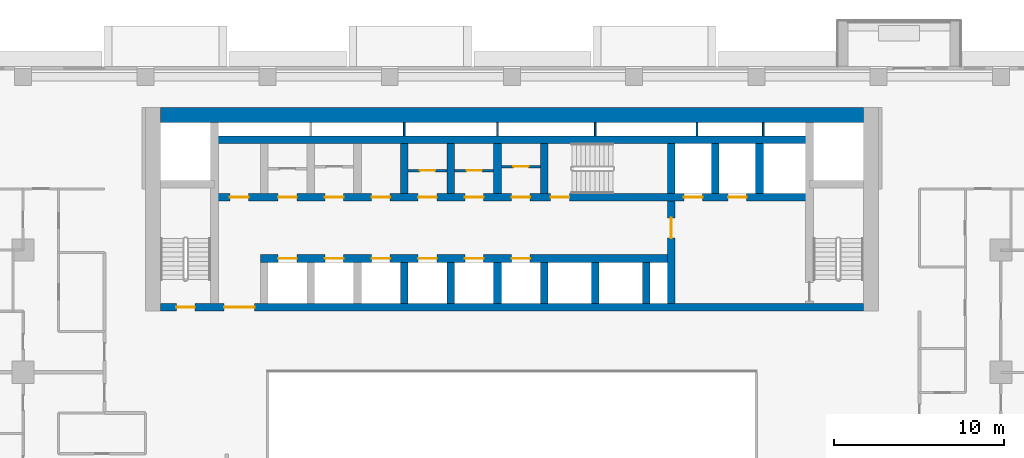
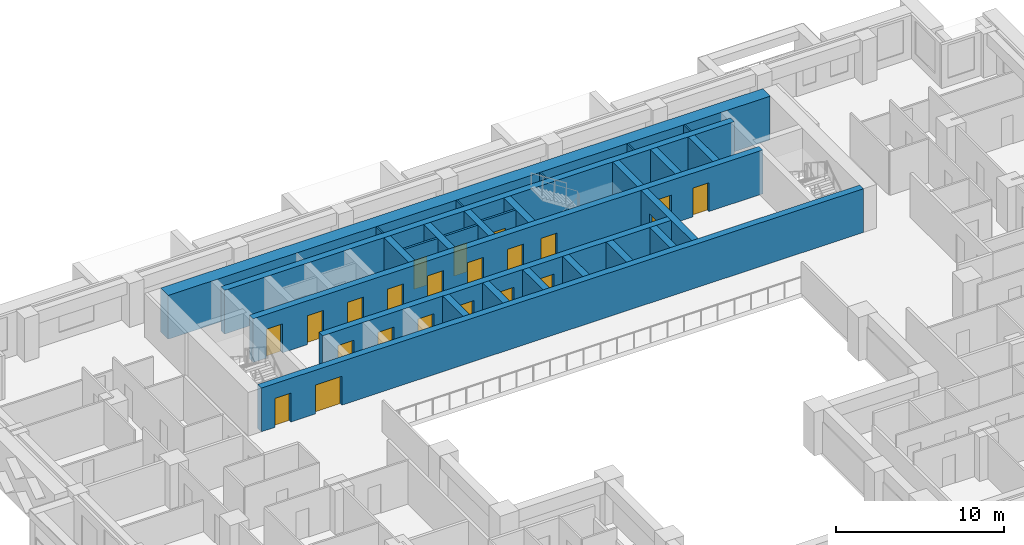
# One storey, part 10 of 16: 27 walls, 22 doors, 22 openings.
"""IFC4 building model written with IfcOpenShell, lengths in metres."""

import ifcopenshell
import ifcopenshell.guid

model = None  # the IFC model being written
_history = None  # IfcOwnerHistory: only IFC2X3 demands one
_inside = {}  # id of a spatial element -> (the spatial element, [elements in it])
_under = {}  # id of a project, library or spatial element -> (it, [spatial elements below it])
_declared = {}  # id of a project -> (the project, [libraries it declares])
_typed = {}  # id of a type object -> (the type object, [elements of that type])
_made_of = {}  # id of a material, layer set ... -> (it, [elements and type objects made of it])


def new_model(schema):
    """Start an empty IFC model of exactly this schema.

    Asked for "IFC4X3", IfcOpenShell would pick the latest addendum, in which some entities
    have other attributes; the version numbers below select the first issue.
    IFC2X3 requires an IfcOwnerHistory on every rooted entity: one is made here for all.
    """
    global model, _history
    if schema == "IFC4X3":
        model = ifcopenshell.file(schema_version=(4, 3, 0, 0))
    else:
        model = ifcopenshell.file(schema=schema)
    _inside.clear()
    _under.clear()
    _declared.clear()
    _typed.clear()
    _made_of.clear()
    _history = None
    if model.schema == "IFC2X3":
        org = make("IfcOrganization", Name="unknown")
        user = make(
            "IfcPersonAndOrganization",
            ThePerson=make("IfcPerson", FamilyName="unknown"),
            TheOrganization=org,
        )
        app = make(
            "IfcApplication",
            ApplicationDeveloper=org,
            Version="unknown",
            ApplicationFullName="unknown",
            ApplicationIdentifier="unknown",
        )
        _history = make(
            "IfcOwnerHistory",
            OwningUser=user,
            OwningApplication=app,
            ChangeAction="ADDED",
            CreationDate=0,
        )
    return model


def make(cls, **values):
    """One entity of the class cls with the attributes given. An attribute that is None is left unset."""
    return model.create_entity(
        cls, **{name: value for name, value in values.items() if value is not None}
    )


def rooted(cls, **values):
    """An entity with a GlobalId (a new one), such as an element, a storey or a relation."""
    return make(cls, GlobalId=ifcopenshell.guid.new(), OwnerHistory=_history, **values)


def si_unit(unit_type, name, prefix=None):
    """IfcSIUnit, for example si_unit("LENGTHUNIT", "METRE", prefix="MILLI")."""
    return make("IfcSIUnit", UnitType=unit_type, Prefix=prefix, Name=name)


def assignment(units):
    """IfcUnitAssignment: the units of a project."""
    return None if units is None else make("IfcUnitAssignment", Units=units)


def point(xyz):
    """IfcCartesianPoint."""
    return None if xyz is None else make("IfcCartesianPoint", Coordinates=xyz)


def direction(xyz):
    """IfcDirection."""
    return None if xyz is None else make("IfcDirection", DirectionRatios=xyz)


def frame(location, z_axis=None, x_axis=None):
    """IfcAxis2Placement3D, a coordinate frame: its origin and axes. An axis left out is left unset."""
    return make(
        "IfcAxis2Placement3D",
        Location=point(location),
        Axis=direction(z_axis),
        RefDirection=direction(x_axis),
    )


def frame_2d(location, x_axis=None):
    """IfcAxis2Placement2D, a coordinate frame in the plane: its origin and x axis."""
    return make(
        "IfcAxis2Placement2D", Location=point(location), RefDirection=direction(x_axis)
    )


def origin():
    """The frame at (0, 0, 0) with its axes left unset."""
    return frame((0.0, 0.0, 0.0))


def place(relative_to, where):
    """IfcLocalPlacement: puts the frame where relative to a parent placement (None: the world)."""
    return make(
        "IfcLocalPlacement", PlacementRelTo=relative_to, RelativePlacement=where
    )


def context(
    kind, dimensions, precision=None, world=None, true_north=None, identifier=None
):
    """IfcGeometricRepresentationContext, for example the 3D "Model" context."""
    return make(
        "IfcGeometricRepresentationContext",
        ContextIdentifier=identifier,
        ContextType=kind,
        CoordinateSpaceDimension=dimensions,
        Precision=precision,
        WorldCoordinateSystem=world,
        TrueNorth=true_north,
    )


def subcontext(parent, identifier, kind, view, scale=None):
    """IfcGeometricRepresentationSubContext, for example "Body" below "Model"."""
    return make(
        "IfcGeometricRepresentationSubContext",
        ContextIdentifier=identifier,
        ContextType=kind,
        ParentContext=parent,
        TargetScale=scale,
        TargetView=view,
    )


def project(units=None, contexts=None):
    """IfcProject with its units and contexts."""
    return rooted(
        "IfcProject",
        Name="project",
        RepresentationContexts=contexts,
        UnitsInContext=assignment(units),
    )


def spatial(cls, under=None, at=None, **own):
    """A site, building, storey or space (cls), placed at a placement, below another one or the project."""
    s = rooted(cls, ObjectPlacement=at, **own)
    if under is not None:
        _under.setdefault(under.id(), (under, []))[1].append(s)
    return s


def profile(cls, at=None, kind="AREA", **sizes):
    """A parametric profile (cls). Its sizes go by their IFC names, for example OverallWidth=200.0."""
    return make(cls, ProfileType=kind, Position=at, **sizes)


def rectangle(**sizes):
    """IfcRectangleProfileDef."""
    return profile("IfcRectangleProfileDef", **sizes)


def extrude(swept, where, along, depth):
    """IfcExtrudedAreaSolid: the profile swept, set in the frame where, extruded along a direction by depth."""
    return make(
        "IfcExtrudedAreaSolid",
        SweptArea=swept,
        Position=where,
        ExtrudedDirection=direction(along),
        Depth=depth,
    )


def shape(context_of_items, identifier, shape_type, items):
    """IfcShapeRepresentation: the items that make up one representation, for example the "Body"."""
    return make(
        "IfcShapeRepresentation",
        ContextOfItems=context_of_items,
        RepresentationIdentifier=identifier,
        RepresentationType=shape_type,
        Items=items,
    )


def material(Name=None, Category=None):
    """IfcMaterial."""
    return make("IfcMaterial", Name=Name, Category=Category)


def layer(
    of_material, thickness, ventilated=None, Name=None, Category=None, Priority=None
):
    """IfcMaterialLayer: one layer of a wall or slab, of a material (None: an air gap)."""
    return make(
        "IfcMaterialLayer",
        Material=of_material,
        LayerThickness=thickness,
        IsVentilated=ventilated,
        Name=Name,
        Category=Category,
        Priority=Priority,
    )


def layer_set(layers, Name=None):
    """IfcMaterialLayerSet."""
    return make("IfcMaterialLayerSet", MaterialLayers=layers, LayerSetName=Name)


def made_of(thing, what):
    """Note that an element or type object is made of a material, layer set ...; save() writes the relation."""
    if what is not None:
        _made_of.setdefault(what.id(), (what, []))[1].append(thing)
    return thing


def type_object(cls, material=None, **own):
    """A type object (cls), such as IfcWallType, which elements share."""
    return made_of(rooted(cls, **own), material)


def element(
    cls,
    number,
    at=None,
    inside=None,
    cuts=None,
    type_object=None,
    material=None,
    context=None,
    identifier="Body",
    shape_type=None,
    held_by="IfcProductDefinitionShape",
    body=None,
    shapes=None,
    **own,
):
    """One element of the class cls, such as IfcWall. Its Tag is "e" and its number.

    at: its placement. inside: the storey or other place that contains it. cuts: it is an
    opening in that element (IfcRelVoidsElement). A single representation is given by context,
    identifier, shape_type and body (its items); several are given by shapes. held_by: the class
    of the entity that holds the representations. save() writes the other relations.
    """
    e = rooted(cls, Tag="e%d" % number, ObjectPlacement=at, **own)
    if body is not None:
        shapes = [shape(context, identifier, shape_type, body)]
    if shapes is not None:
        e.Representation = make(held_by, Representations=shapes)
    if inside is not None:
        _inside.setdefault(inside.id(), (inside, []))[1].append(e)
    if cuts is not None:
        rooted(
            "IfcRelVoidsElement", RelatingBuildingElement=cuts, RelatedOpeningElement=e
        )
    if type_object is not None:
        _typed.setdefault(type_object.id(), (type_object, []))[1].append(e)
    return made_of(e, material)


def fill(opening, filler):
    """IfcRelFillsElement: the door or window that sits in an opening."""
    return rooted(
        "IfcRelFillsElement",
        RelatingOpeningElement=opening,
        RelatedBuildingElement=filler,
    )


def aggregate(whole, parts):
    """IfcRelAggregates: a whole, such as a stair, and the parts it consists of."""
    return rooted("IfcRelAggregates", RelatingObject=whole, RelatedObjects=parts)


def save(model, path):
    """Write the relations noted so far, then the file.

    IfcRelAggregates (storeys below a building ...), IfcRelContainedInSpatialStructure (elements
    in a storey), IfcRelDefinesByType, IfcRelAssociatesMaterial and IfcRelDeclares: one each for
    every whole, place, type object, material and project.
    """
    for whole, parts in _under.values():
        aggregate(whole, parts)
    for where, things in _inside.values():
        rooted(
            "IfcRelContainedInSpatialStructure",
            RelatedElements=things,
            RelatingStructure=where,
        )
    for kind, things in _typed.values():
        rooted("IfcRelDefinesByType", RelatedObjects=things, RelatingType=kind)
    for what, things in _made_of.values():
        rooted("IfcRelAssociatesMaterial", RelatedObjects=things, RelatingMaterial=what)
    for by, libraries in _declared.values():
        rooted("IfcRelDeclares", RelatingContext=by, RelatedDefinitions=libraries)
    model.write(path)


model = new_model("IFC4")

# Units and contexts
model_context = context("Model", 3, precision=1e-05, world=origin(), true_north=direction((0.0, 1.0)))
body_context = subcontext(model_context, "Body", "Model", "MODEL_VIEW")
ifc_project = project(units=[si_unit("LENGTHUNIT", "METRE"), si_unit("AREAUNIT", "SQUARE_METRE"), si_unit("VOLUMEUNIT", "CUBIC_METRE"), si_unit("PLANEANGLEUNIT", "RADIAN"), si_unit("MASSUNIT", "GRAM", prefix="KILO")], contexts=[model_context])

# Site, building, storey
site_placement = place(None, origin())
site = spatial("IfcSite", under=ifc_project, at=site_placement, CompositionType="ELEMENT")
building_placement = place(site_placement, origin())
building = spatial("IfcBuilding", under=site, at=building_placement, Name="Saffron Iwan Residences", CompositionType="ELEMENT")
storey_placement = place(building_placement, frame((0.0, 0.0, 90.0)))
storey = spatial("IfcBuildingStorey", under=building, at=storey_placement, Name="L23", CompositionType="ELEMENT", Elevation=90.0)

# Wall, opening, door
ifc_material_1 = material(Name="Fire-rated plasterboard partition")
ifc_layer_1 = layer(ifc_material_1, 0.14990234375)
ifc_layer_set_1 = layer_set([ifc_layer_1], Name="Fire-rated plasterboard partition")
wall_type_1 = type_object("IfcWallType", Name="Core partition 150", PredefinedType="PARTITIONING", material=ifc_layer_set_1)
wall_1_placement = place(storey_placement, frame((44.27490234375, 74.281982421875, 0.0), z_axis=(0.0, 0.0, 1.0), x_axis=(1.0, 0.0, 0.0)))
wall_1 = element("IfcWall", 1, at=wall_1_placement, inside=storey, type_object=wall_type_1, Name="Core partition P03", PredefinedType="PARTITIONING", context=body_context, shape_type="SweptSolid", body=[
    extrude(rectangle(XDim=2.300048828125, YDim=0.14990234375, at=frame_2d((1.14990234375, 0.0))), origin(), (0.0, 0.0, 1.0), 3.179931640625),
])
opening_1_placement = place(wall_1_placement, frame((0.699951171875, 0.0, 0.0)))
opening_1 = element("IfcOpeningElement", 2, at=opening_1_placement, cuts=wall_1, Name="Opening SB", PredefinedType="OPENING", context=body_context, shape_type="SweptSolid", body=[
    extrude(rectangle(XDim=0.89990234375, YDim=2.10009765625, at=frame_2d((0.449951171875, 1.050048828125))), frame((0.0, 0.0849609375, 0.0), z_axis=(0.0, -1.0, 0.0), x_axis=(1.0, 0.0, 0.0)), (0.0, 0.0, 1.0), 0.169921875),
])
ifc_material_2 = material(Name="Steel fire door", Category="steel")
door_type_1 = type_object("IfcDoorType", Name="Store door 900", OperationType="NOTDEFINED", PredefinedType="DOOR", material=ifc_material_2)
door_1_placement = place(opening_1_placement, origin())
door_1 = element("IfcDoor", 3, at=door_1_placement, inside=storey, type_object=door_type_1, Name="Door Records store", OperationType="SINGLE_SWING_RIGHT", OverallHeight=2.10009765625, OverallWidth=0.89990234375, PredefinedType="DOOR", context=body_context, shape_type="SweptSolid", body=[
    extrude(rectangle(XDim=0.89990234375, YDim=2.10009765625, at=frame_2d((0.449951171875, 1.050048828125))), frame((0.0, 0.02490234375, 0.0), z_axis=(0.0, -1.0, 0.0), x_axis=(1.0, 0.0, 0.0)), (0.0, 0.0, 1.0), 0.050048828125),
])
fill(opening_1, door_1)

wall_2_placement = place(storey_placement, frame((47.02490234375, 74.281982421875, 0.0), z_axis=(0.0, 0.0, 1.0), x_axis=(1.0, 0.0, 0.0)))
wall_2 = element("IfcWall", 4, at=wall_2_placement, inside=storey, type_object=wall_type_1, Name="Core partition P04", PredefinedType="PARTITIONING", context=body_context, shape_type="SweptSolid", body=[
    extrude(rectangle(XDim=2.300048828125, YDim=0.14990234375, at=frame_2d((1.14990234375, 0.0))), origin(), (0.0, 0.0, 1.0), 3.179931640625),
])
opening_2_placement = place(wall_2_placement, frame((0.699951171875, 0.0, 0.0)))
opening_2 = element("IfcOpeningElement", 5, at=opening_2_placement, cuts=wall_2, Name="Opening SB", PredefinedType="OPENING", context=body_context, shape_type="SweptSolid", body=[
    extrude(rectangle(XDim=0.89990234375, YDim=2.10009765625, at=frame_2d((0.449951171875, 1.050048828125))), frame((0.0, 0.0849609375, 0.0), z_axis=(0.0, -1.0, 0.0), x_axis=(1.0, 0.0, 0.0)), (0.0, 0.0, 1.0), 0.169921875),
])
door_2_placement = place(opening_2_placement, origin())
door_2 = element("IfcDoor", 6, at=door_2_placement, inside=storey, type_object=door_type_1, Name="Door Stationery store", OperationType="SINGLE_SWING_LEFT", OverallHeight=2.10009765625, OverallWidth=0.89990234375, PredefinedType="DOOR", context=body_context, shape_type="SweptSolid", body=[
    extrude(rectangle(XDim=0.89990234375, YDim=2.10009765625, at=frame_2d((0.449951171875, 1.050048828125))), frame((0.0, 0.02490234375, 0.0), z_axis=(0.0, -1.0, 0.0), x_axis=(1.0, 0.0, 0.0)), (0.0, 0.0, 1.0), 0.050048828125),
])
fill(opening_2, door_2)

wall_3_placement = place(storey_placement, frame((49.77490234375, 74.51806640625, 0.0), z_axis=(0.0, 0.0, 1.0), x_axis=(1.0, 0.0, 0.0)))
wall_3 = element("IfcWall", 7, at=wall_3_placement, inside=storey, type_object=wall_type_1, Name="Core partition P05", PredefinedType="PARTITIONING", context=body_context, shape_type="SweptSolid", body=[
    extrude(rectangle(XDim=2.300048828125, YDim=0.14990234375, at=frame_2d((1.14990234375, 0.0))), origin(), (0.0, 0.0, 1.0), 3.179931640625),
])
opening_3_placement = place(wall_3_placement, frame((0.699951171875, 0.0, 0.0)))
opening_3 = element("IfcOpeningElement", 8, at=opening_3_placement, cuts=wall_3, Name="Opening SB", PredefinedType="OPENING", context=body_context, shape_type="SweptSolid", body=[
    extrude(rectangle(XDim=0.89990234375, YDim=2.10009765625, at=frame_2d((0.449951171875, 1.050048828125))), frame((0.0, 0.0849609375, 0.0), z_axis=(0.0, -1.0, 0.0), x_axis=(1.0, 0.0, 0.0)), (0.0, 0.0, 1.0), 0.169921875),
])
door_3_placement = place(opening_3_placement, origin())
door_3 = element("IfcDoor", 9, at=door_3_placement, inside=storey, type_object=door_type_1, Name="Door Tool store", OperationType="SINGLE_SWING_LEFT", OverallHeight=2.10009765625, OverallWidth=0.89990234375, PredefinedType="DOOR", context=body_context, shape_type="SweptSolid", body=[
    extrude(rectangle(XDim=0.89990234375, YDim=2.10009765625, at=frame_2d((0.449951171875, 1.050048828125))), frame((0.0, 0.02490234375, 0.0), z_axis=(0.0, -1.0, 0.0), x_axis=(1.0, 0.0, 0.0)), (0.0, 0.0, 1.0), 0.050048828125),
])
fill(opening_3, door_3)

# Walls
ifc_layer_2 = layer(ifc_material_1, 0.10009765625)
ifc_layer_set_2 = layer_set([ifc_layer_2], Name="Fire-rated plasterboard partition")
wall_type_2 = type_object("IfcWallType", Name="Riser partition 100", PredefinedType="PARTITIONING", material=ifc_layer_set_2)
for number, where, z_axis, x_axis, name in (
    (10, (44.050048828125, 76.324951171875, 0.0), (0.0, 0.0, 1.0), (0.0, 1.0, 0.0), "Core partition P07"),
    (11, (49.550048828125, 76.324951171875, 0.0), (0.0, 0.0, 1.0), (0.0, 1.0, 0.0), "Core partition P08"),
    (12, (55.300048828125, 76.324951171875, 0.0), (0.0, 0.0, 1.0), (0.0, 1.0, 0.0), "Core partition P09"),
    (13, (61.300048828125, 76.324951171875, 0.0), (0.0, 0.0, 1.0), (0.0, 1.0, 0.0), "Core partition P10"),
    (14, (65.199951171875, 76.324951171875, 0.0), (0.0, 0.0, 1.0), (0.0, 1.0, 0.0), "Core partition P11"),
):
    element("IfcWall", number, at=place(storey_placement, frame(where, z_axis=z_axis, x_axis=x_axis)), inside=storey, type_object=wall_type_2, Name=name, PredefinedType="PARTITIONING", context=body_context, shape_type="SweptSolid", body=[
        extrude(rectangle(XDim=0.775146484375, YDim=0.10009765625, at=frame_2d((0.3876953125, 0.0))), origin(), (0.0, 0.0, 1.0), 3.179931640625),
    ])

# Wall, openings, doors
ifc_material_3 = material(Name="Concrete C60/75", Category="concrete")
ifc_layer_3 = layer(ifc_material_3, 0.449951171875)
ifc_layer_set_3 = layer_set([ifc_layer_3], Name="Concrete C60/75")
wall_type_3 = type_object("IfcWallType", Name="WALL CORE 450 C60/75 3180 HIGH", PredefinedType="SHEAR", material=ifc_layer_set_3)
wall_4_placement = place(storey_placement, frame((29.699951171875, 66.22509765625, 0.0), z_axis=(0.0, 0.0, 1.0), x_axis=(1.0, 0.0, 0.0)))
wall_4 = element("IfcWall", 15, at=wall_4_placement, inside=storey, type_object=wall_type_3, Name="Core wall", PredefinedType="SHEAR", context=body_context, shape_type="SweptSolid", body=[
    extrude(rectangle(XDim=41.400146484375, YDim=0.449951171875, at=frame_2d((20.7001953125, 0.0))), origin(), (0.0, 0.0, 1.0), 3.179931640625),
])
opening_4_placement = place(wall_4_placement, frame((0.925048828125, 0.0, 0.0)))
opening_4 = element("IfcOpeningElement", 16, at=opening_4_placement, cuts=wall_4, Name="Opening SD", PredefinedType="OPENING", context=body_context, shape_type="SweptSolid", body=[
    extrude(rectangle(XDim=1.10009765625, YDim=2.10009765625, at=frame_2d((0.550048828125, 1.050048828125))), frame((0.0, 0.23486328125, 0.0), z_axis=(0.0, -1.0, 0.0), x_axis=(1.0, 0.0, 0.0)), (0.0, 0.0, 1.0), 0.469970703125),
])
opening_5_placement = place(wall_4_placement, frame((3.737548828125, 0.0, 0.0)))
opening_5 = element("IfcOpeningElement", 17, at=opening_5_placement, cuts=wall_4, Name="Opening DD", PredefinedType="OPENING", context=body_context, shape_type="SweptSolid", body=[
    extrude(rectangle(XDim=1.800048828125, YDim=2.10009765625, at=frame_2d((0.89990234375, 1.050048828125))), frame((0.0, 0.23486328125, 0.0), z_axis=(0.0, -1.0, 0.0), x_axis=(1.0, 0.0, 0.0)), (0.0, 0.0, 1.0), 0.469970703125),
])
door_type_2 = type_object("IfcDoorType", Name="Lobby double door 1800", OperationType="DOUBLE_DOOR_SINGLE_SWING", PredefinedType="DOOR", material=ifc_material_2)
door_4_placement = place(opening_5_placement, origin())
door_4 = element("IfcDoor", 18, at=door_4_placement, inside=storey, type_object=door_type_2, Name="Lobby doors", OperationType="DOUBLE_DOOR_SINGLE_SWING", OverallHeight=2.10009765625, OverallWidth=1.800048828125, PredefinedType="DOOR", context=body_context, shape_type="SweptSolid", body=[
    extrude(rectangle(XDim=1.800048828125, YDim=2.10009765625, at=frame_2d((0.89990234375, 1.050048828125))), frame((0.0, 0.02490234375, 0.0), z_axis=(0.0, -1.0, 0.0), x_axis=(1.0, 0.0, 0.0)), (0.0, 0.0, 1.0), 0.050048828125),
])
fill(opening_5, door_4)
door_type_3 = type_object("IfcDoorType", Name="Stair door 1100", OperationType="NOTDEFINED", PredefinedType="DOOR", material=ifc_material_2)
door_5_placement = place(opening_4_placement, origin())
door_5 = element("IfcDoor", 19, at=door_5_placement, inside=storey, type_object=door_type_3, Name="Stair door ST-W", OperationType="SINGLE_SWING_LEFT", OverallHeight=2.10009765625, OverallWidth=1.10009765625, PredefinedType="DOOR", context=body_context, shape_type="SweptSolid", body=[
    extrude(rectangle(XDim=1.10009765625, YDim=2.10009765625, at=frame_2d((0.550048828125, 1.050048828125))), frame((0.0, 0.02490234375, 0.0), z_axis=(0.0, -1.0, 0.0), x_axis=(1.0, 0.0, 0.0)), (0.0, 0.0, 1.0), 0.050048828125),
])
fill(opening_4, door_5)

wall_5_placement = place(storey_placement, frame((35.574951171875, 69.10009765625, 0.0), z_axis=(0.0, 0.0, 1.0), x_axis=(1.0, 0.0, 0.0)))
wall_5 = element("IfcWall", 20, at=wall_5_placement, inside=storey, type_object=wall_type_3, Name="Core wall", PredefinedType="SHEAR", context=body_context, shape_type="SweptSolid", body=[
    extrude(rectangle(XDim=24.199951171875, YDim=0.449951171875, at=frame_2d((12.10009765625, 0.0))), origin(), (0.0, 0.0, 1.0), 3.179931640625),
])
opening_6_placement = place(wall_5_placement, frame((1.050048828125, 0.0, 0.0)))
opening_6 = element("IfcOpeningElement", 21, at=opening_6_placement, cuts=wall_5, Name="Opening LD", PredefinedType="OPENING", context=body_context, shape_type="SweptSolid", body=[
    extrude(rectangle(XDim=1.10009765625, YDim=2.10009765625, at=frame_2d((0.550048828125, 1.050048828125))), frame((0.0, 0.23486328125, 0.0), z_axis=(0.0, -1.0, 0.0), x_axis=(1.0, 0.0, 0.0)), (0.0, 0.0, 1.0), 0.469970703125),
])
opening_7_placement = place(wall_5_placement, frame((3.800048828125, 0.0, 0.0)))
opening_7 = element("IfcOpeningElement", 22, at=opening_7_placement, cuts=wall_5, Name="Opening LD", PredefinedType="OPENING", context=body_context, shape_type="SweptSolid", body=[
    extrude(rectangle(XDim=1.10009765625, YDim=2.10009765625, at=frame_2d((0.550048828125, 1.050048828125))), frame((0.0, 0.23486328125, 0.0), z_axis=(0.0, -1.0, 0.0), x_axis=(1.0, 0.0, 0.0)), (0.0, 0.0, 1.0), 0.469970703125),
])
opening_8_placement = place(wall_5_placement, frame((6.550048828125, 0.0, 0.0)))
opening_8 = element("IfcOpeningElement", 23, at=opening_8_placement, cuts=wall_5, Name="Opening LD", PredefinedType="OPENING", context=body_context, shape_type="SweptSolid", body=[
    extrude(rectangle(XDim=1.10009765625, YDim=2.10009765625, at=frame_2d((0.550048828125, 1.050048828125))), frame((0.0, 0.23486328125, 0.0), z_axis=(0.0, -1.0, 0.0), x_axis=(1.0, 0.0, 0.0)), (0.0, 0.0, 1.0), 0.469970703125),
])
opening_9_placement = place(wall_5_placement, frame((9.300048828125, 0.0, 0.0)))
opening_9 = element("IfcOpeningElement", 24, at=opening_9_placement, cuts=wall_5, Name="Opening LD", PredefinedType="OPENING", context=body_context, shape_type="SweptSolid", body=[
    extrude(rectangle(XDim=1.10009765625, YDim=2.10009765625, at=frame_2d((0.550048828125, 1.050048828125))), frame((0.0, 0.23486328125, 0.0), z_axis=(0.0, -1.0, 0.0), x_axis=(1.0, 0.0, 0.0)), (0.0, 0.0, 1.0), 0.469970703125),
])
opening_10_placement = place(wall_5_placement, frame((12.050048828125, 0.0, 0.0)))
opening_10 = element("IfcOpeningElement", 25, at=opening_10_placement, cuts=wall_5, Name="Opening LD", PredefinedType="OPENING", context=body_context, shape_type="SweptSolid", body=[
    extrude(rectangle(XDim=1.10009765625, YDim=2.10009765625, at=frame_2d((0.550048828125, 1.050048828125))), frame((0.0, 0.23486328125, 0.0), z_axis=(0.0, -1.0, 0.0), x_axis=(1.0, 0.0, 0.0)), (0.0, 0.0, 1.0), 0.469970703125),
])
opening_11_placement = place(wall_5_placement, frame((14.800048828125, 0.0, 0.0)))
opening_11 = element("IfcOpeningElement", 26, at=opening_11_placement, cuts=wall_5, Name="Opening LD", PredefinedType="OPENING", context=body_context, shape_type="SweptSolid", body=[
    extrude(rectangle(XDim=1.10009765625, YDim=2.10009765625, at=frame_2d((0.550048828125, 1.050048828125))), frame((0.0, 0.23486328125, 0.0), z_axis=(0.0, -1.0, 0.0), x_axis=(1.0, 0.0, 0.0)), (0.0, 0.0, 1.0), 0.469970703125),
])
door_type_4 = type_object("IfcDoorType", Name="Lift landing door 1100", OperationType="SLIDING_TO_LEFT", PredefinedType="DOOR", material=ifc_material_2)
door_6_placement = place(opening_6_placement, origin())
door_6 = element("IfcDoor", 27, at=door_6_placement, inside=storey, type_object=door_type_4, Name="Landing doors LR1", OperationType="SLIDING_TO_LEFT", OverallHeight=2.10009765625, OverallWidth=1.10009765625, PredefinedType="DOOR", context=body_context, shape_type="SweptSolid", body=[
    extrude(rectangle(XDim=1.10009765625, YDim=2.10009765625, at=frame_2d((0.550048828125, 1.050048828125))), frame((0.0, 0.02490234375, 0.0), z_axis=(0.0, -1.0, 0.0), x_axis=(1.0, 0.0, 0.0)), (0.0, 0.0, 1.0), 0.050048828125),
])
fill(opening_6, door_6)
door_7_placement = place(opening_7_placement, origin())
door_7 = element("IfcDoor", 28, at=door_7_placement, inside=storey, type_object=door_type_4, Name="Landing doors LR2", OperationType="SLIDING_TO_LEFT", OverallHeight=2.10009765625, OverallWidth=1.10009765625, PredefinedType="DOOR", context=body_context, shape_type="SweptSolid", body=[
    extrude(rectangle(XDim=1.10009765625, YDim=2.10009765625, at=frame_2d((0.550048828125, 1.050048828125))), frame((0.0, 0.02490234375, 0.0), z_axis=(0.0, -1.0, 0.0), x_axis=(1.0, 0.0, 0.0)), (0.0, 0.0, 1.0), 0.050048828125),
])
fill(opening_7, door_7)
door_8_placement = place(opening_8_placement, origin())
door_8 = element("IfcDoor", 29, at=door_8_placement, inside=storey, type_object=door_type_4, Name="Landing doors LR3", OperationType="SLIDING_TO_LEFT", OverallHeight=2.10009765625, OverallWidth=1.10009765625, PredefinedType="DOOR", context=body_context, shape_type="SweptSolid", body=[
    extrude(rectangle(XDim=1.10009765625, YDim=2.10009765625, at=frame_2d((0.550048828125, 1.050048828125))), frame((0.0, 0.02490234375, 0.0), z_axis=(0.0, -1.0, 0.0), x_axis=(1.0, 0.0, 0.0)), (0.0, 0.0, 1.0), 0.050048828125),
])
fill(opening_8, door_8)
door_9_placement = place(opening_9_placement, origin())
door_9 = element("IfcDoor", 30, at=door_9_placement, inside=storey, type_object=door_type_4, Name="Landing doors LR4", OperationType="SLIDING_TO_LEFT", OverallHeight=2.10009765625, OverallWidth=1.10009765625, PredefinedType="DOOR", context=body_context, shape_type="SweptSolid", body=[
    extrude(rectangle(XDim=1.10009765625, YDim=2.10009765625, at=frame_2d((0.550048828125, 1.050048828125))), frame((0.0, 0.02490234375, 0.0), z_axis=(0.0, -1.0, 0.0), x_axis=(1.0, 0.0, 0.0)), (0.0, 0.0, 1.0), 0.050048828125),
])
fill(opening_9, door_9)
door_10_placement = place(opening_10_placement, origin())
door_10 = element("IfcDoor", 31, at=door_10_placement, inside=storey, type_object=door_type_4, Name="Landing doors LR5", OperationType="SLIDING_TO_LEFT", OverallHeight=2.10009765625, OverallWidth=1.10009765625, PredefinedType="DOOR", context=body_context, shape_type="SweptSolid", body=[
    extrude(rectangle(XDim=1.10009765625, YDim=2.10009765625, at=frame_2d((0.550048828125, 1.050048828125))), frame((0.0, 0.02490234375, 0.0), z_axis=(0.0, -1.0, 0.0), x_axis=(1.0, 0.0, 0.0)), (0.0, 0.0, 1.0), 0.050048828125),
])
fill(opening_10, door_10)
door_11_placement = place(opening_11_placement, origin())
door_11 = element("IfcDoor", 32, at=door_11_placement, inside=storey, type_object=door_type_4, Name="Landing doors LR6", OperationType="SLIDING_TO_LEFT", OverallHeight=2.10009765625, OverallWidth=1.10009765625, PredefinedType="DOOR", context=body_context, shape_type="SweptSolid", body=[
    extrude(rectangle(XDim=1.10009765625, YDim=2.10009765625, at=frame_2d((0.550048828125, 1.050048828125))), frame((0.0, 0.02490234375, 0.0), z_axis=(0.0, -1.0, 0.0), x_axis=(1.0, 0.0, 0.0)), (0.0, 0.0, 1.0), 0.050048828125),
])
fill(opening_11, door_11)

wall_6_placement = place(storey_placement, frame((32.875, 72.699951171875, 0.0), z_axis=(0.0, 0.0, 1.0), x_axis=(1.0, 0.0, 0.0)))
wall_6 = element("IfcWall", 33, at=wall_6_placement, inside=storey, type_object=wall_type_3, Name="Core wall", PredefinedType="SHEAR", context=body_context, shape_type="SweptSolid", body=[
    extrude(rectangle(XDim=35.050048828125, YDim=0.449951171875, at=frame_2d((17.52490234375, 0.0))), origin(), (0.0, 0.0, 1.0), 3.179931640625),
])
opening_12_placement = place(wall_6_placement, frame((19.800048828125, 0.0, 0.0)))
opening_12 = element("IfcOpeningElement", 34, at=opening_12_placement, cuts=wall_6, Name="Opening SD", PredefinedType="OPENING", context=body_context, shape_type="SweptSolid", body=[
    extrude(rectangle(XDim=1.10009765625, YDim=2.10009765625, at=frame_2d((0.550048828125, 1.050048828125))), frame((0.0, 0.23486328125, 0.0), z_axis=(0.0, -1.0, 0.0), x_axis=(1.0, 0.0, 0.0)), (0.0, 0.0, 1.0), 0.469970703125),
])
opening_13_placement = place(wall_6_placement, frame((27.64990234375, 0.0, 0.0)))
opening_13 = element("IfcOpeningElement", 35, at=opening_13_placement, cuts=wall_6, Name="Opening LD", PredefinedType="OPENING", context=body_context, shape_type="SweptSolid", body=[
    extrude(rectangle(XDim=1.10009765625, YDim=2.10009765625, at=frame_2d((0.550048828125, 1.050048828125))), frame((0.0, 0.23486328125, 0.0), z_axis=(0.0, -1.0, 0.0), x_axis=(1.0, 0.0, 0.0)), (0.0, 0.0, 1.0), 0.469970703125),
])
opening_14_placement = place(wall_6_placement, frame((30.25, 0.0, 0.0)))
opening_14 = element("IfcOpeningElement", 36, at=opening_14_placement, cuts=wall_6, Name="Opening LD", PredefinedType="OPENING", context=body_context, shape_type="SweptSolid", body=[
    extrude(rectangle(XDim=1.10009765625, YDim=2.10009765625, at=frame_2d((0.550048828125, 1.050048828125))), frame((0.0, 0.23486328125, 0.0), z_axis=(0.0, -1.0, 0.0), x_axis=(1.0, 0.0, 0.0)), (0.0, 0.0, 1.0), 0.469970703125),
])
opening_15_placement = place(wall_6_placement, frame((3.75, 0.0, 0.0)))
opening_15 = element("IfcOpeningElement", 37, at=opening_15_placement, cuts=wall_6, Name="Opening SR", PredefinedType="OPENING", context=body_context, shape_type="SweptSolid", body=[
    extrude(rectangle(XDim=1.10009765625, YDim=2.10009765625, at=frame_2d((0.550048828125, 1.050048828125))), frame((0.0, 0.23486328125, 0.0), z_axis=(0.0, -1.0, 0.0), x_axis=(1.0, 0.0, 0.0)), (0.0, 0.0, 1.0), 0.469970703125),
])
opening_16_placement = place(wall_6_placement, frame((6.5, 0.0, 0.0)))
opening_16 = element("IfcOpeningElement", 38, at=opening_16_placement, cuts=wall_6, Name="Opening SR", PredefinedType="OPENING", context=body_context, shape_type="SweptSolid", body=[
    extrude(rectangle(XDim=1.10009765625, YDim=2.10009765625, at=frame_2d((0.550048828125, 1.050048828125))), frame((0.0, 0.23486328125, 0.0), z_axis=(0.0, -1.0, 0.0), x_axis=(1.0, 0.0, 0.0)), (0.0, 0.0, 1.0), 0.469970703125),
])
opening_17_placement = place(wall_6_placement, frame((9.25, 0.0, 0.0)))
opening_17 = element("IfcOpeningElement", 39, at=opening_17_placement, cuts=wall_6, Name="Opening SR", PredefinedType="OPENING", context=body_context, shape_type="SweptSolid", body=[
    extrude(rectangle(XDim=1.10009765625, YDim=2.10009765625, at=frame_2d((0.550048828125, 1.050048828125))), frame((0.0, 0.23486328125, 0.0), z_axis=(0.0, -1.0, 0.0), x_axis=(1.0, 0.0, 0.0)), (0.0, 0.0, 1.0), 0.469970703125),
])
opening_18_placement = place(wall_6_placement, frame((12.0, 0.0, 0.0)))
opening_18 = element("IfcOpeningElement", 40, at=opening_18_placement, cuts=wall_6, Name="Opening SR", PredefinedType="OPENING", context=body_context, shape_type="SweptSolid", body=[
    extrude(rectangle(XDim=1.10009765625, YDim=2.10009765625, at=frame_2d((0.550048828125, 1.050048828125))), frame((0.0, 0.23486328125, 0.0), z_axis=(0.0, -1.0, 0.0), x_axis=(1.0, 0.0, 0.0)), (0.0, 0.0, 1.0), 0.469970703125),
])
opening_19_placement = place(wall_6_placement, frame((14.75, 0.0, 0.0)))
opening_19 = element("IfcOpeningElement", 41, at=opening_19_placement, cuts=wall_6, Name="Opening SR", PredefinedType="OPENING", context=body_context, shape_type="SweptSolid", body=[
    extrude(rectangle(XDim=1.10009765625, YDim=2.10009765625, at=frame_2d((0.550048828125, 1.050048828125))), frame((0.0, 0.23486328125, 0.0), z_axis=(0.0, -1.0, 0.0), x_axis=(1.0, 0.0, 0.0)), (0.0, 0.0, 1.0), 0.469970703125),
])
opening_20_placement = place(wall_6_placement, frame((17.5, 0.0, 0.0)))
opening_20 = element("IfcOpeningElement", 42, at=opening_20_placement, cuts=wall_6, Name="Opening SR", PredefinedType="OPENING", context=body_context, shape_type="SweptSolid", body=[
    extrude(rectangle(XDim=1.10009765625, YDim=2.10009765625, at=frame_2d((0.550048828125, 1.050048828125))), frame((0.0, 0.23486328125, 0.0), z_axis=(0.0, -1.0, 0.0), x_axis=(1.0, 0.0, 0.0)), (0.0, 0.0, 1.0), 0.469970703125),
])
opening_21_placement = place(wall_6_placement, frame((0.91259765625, 0.0, 0.0)))
opening_21 = element("IfcOpeningElement", 43, at=opening_21_placement, cuts=wall_6, Name="Opening SR", PredefinedType="OPENING", context=body_context, shape_type="SweptSolid", body=[
    extrude(rectangle(XDim=1.10009765625, YDim=2.10009765625, at=frame_2d((0.550048828125, 1.050048828125))), frame((0.0, 0.23486328125, 0.0), z_axis=(0.0, -1.0, 0.0), x_axis=(1.0, 0.0, 0.0)), (0.0, 0.0, 1.0), 0.469970703125),
])
door_12_placement = place(opening_13_placement, origin())
door_12 = element("IfcDoor", 44, at=door_12_placement, inside=storey, type_object=door_type_4, Name="Landing doors FF1", OperationType="SLIDING_TO_LEFT", OverallHeight=2.10009765625, OverallWidth=1.10009765625, PredefinedType="DOOR", context=body_context, shape_type="SweptSolid", body=[
    extrude(rectangle(XDim=1.10009765625, YDim=2.10009765625, at=frame_2d((0.550048828125, 1.050048828125))), frame((0.0, 0.02490234375, 0.0), z_axis=(0.0, -1.0, 0.0), x_axis=(1.0, 0.0, 0.0)), (0.0, 0.0, 1.0), 0.050048828125),
])
fill(opening_13, door_12)
door_13_placement = place(opening_14_placement, origin())
door_13 = element("IfcDoor", 45, at=door_13_placement, inside=storey, type_object=door_type_4, Name="Landing doors FF2", OperationType="SLIDING_TO_LEFT", OverallHeight=2.10009765625, OverallWidth=1.10009765625, PredefinedType="DOOR", context=body_context, shape_type="SweptSolid", body=[
    extrude(rectangle(XDim=1.10009765625, YDim=2.10009765625, at=frame_2d((0.550048828125, 1.050048828125))), frame((0.0, 0.02490234375, 0.0), z_axis=(0.0, -1.0, 0.0), x_axis=(1.0, 0.0, 0.0)), (0.0, 0.0, 1.0), 0.050048828125),
])
fill(opening_14, door_13)
door_type_5 = type_object("IfcDoorType", Name="Service door 1100", OperationType="NOTDEFINED", PredefinedType="DOOR", material=ifc_material_2)
door_14_placement = place(opening_15_placement, origin())
door_14 = element("IfcDoor", 46, at=door_14_placement, inside=storey, type_object=door_type_5, Name="Door Trolley store", OperationType="SINGLE_SWING_LEFT", OverallHeight=2.10009765625, OverallWidth=1.10009765625, PredefinedType="DOOR", context=body_context, shape_type="SweptSolid", body=[
    extrude(rectangle(XDim=1.10009765625, YDim=2.10009765625, at=frame_2d((0.550048828125, 1.050048828125))), frame((0.0, 0.02490234375, 0.0), z_axis=(0.0, -1.0, 0.0), x_axis=(1.0, 0.0, 0.0)), (0.0, 0.0, 1.0), 0.050048828125),
])
fill(opening_15, door_14)
door_15_placement = place(opening_16_placement, origin())
door_15 = element("IfcDoor", 47, at=door_15_placement, inside=storey, type_object=door_type_5, Name="Door Communications room", OperationType="SINGLE_SWING_LEFT", OverallHeight=2.10009765625, OverallWidth=1.10009765625, PredefinedType="DOOR", context=body_context, shape_type="SweptSolid", body=[
    extrude(rectangle(XDim=1.10009765625, YDim=2.10009765625, at=frame_2d((0.550048828125, 1.050048828125))), frame((0.0, 0.02490234375, 0.0), z_axis=(0.0, -1.0, 0.0), x_axis=(1.0, 0.0, 0.0)), (0.0, 0.0, 1.0), 0.050048828125),
])
fill(opening_16, door_15)
door_16_placement = place(opening_17_placement, origin())
door_16 = element("IfcDoor", 48, at=door_16_placement, inside=storey, type_object=door_type_5, Name="Door Switch room", OperationType="SINGLE_SWING_LEFT", OverallHeight=2.10009765625, OverallWidth=1.10009765625, PredefinedType="DOOR", context=body_context, shape_type="SweptSolid", body=[
    extrude(rectangle(XDim=1.10009765625, YDim=2.10009765625, at=frame_2d((0.550048828125, 1.050048828125))), frame((0.0, 0.02490234375, 0.0), z_axis=(0.0, -1.0, 0.0), x_axis=(1.0, 0.0, 0.0)), (0.0, 0.0, 1.0), 0.050048828125),
])
fill(opening_17, door_16)
door_17_placement = place(opening_18_placement, origin())
door_17 = element("IfcDoor", 49, at=door_17_placement, inside=storey, type_object=door_type_5, Name="Door Furniture store", OperationType="SINGLE_SWING_LEFT", OverallHeight=2.10009765625, OverallWidth=1.10009765625, PredefinedType="DOOR", context=body_context, shape_type="SweptSolid", body=[
    extrude(rectangle(XDim=1.10009765625, YDim=2.10009765625, at=frame_2d((0.550048828125, 1.050048828125))), frame((0.0, 0.02490234375, 0.0), z_axis=(0.0, -1.0, 0.0), x_axis=(1.0, 0.0, 0.0)), (0.0, 0.0, 1.0), 0.050048828125),
])
fill(opening_18, door_17)
door_18_placement = place(opening_19_placement, origin())
door_18 = element("IfcDoor", 50, at=door_18_placement, inside=storey, type_object=door_type_5, Name="Door Housekeeping store", OperationType="SINGLE_SWING_LEFT", OverallHeight=2.10009765625, OverallWidth=1.10009765625, PredefinedType="DOOR", context=body_context, shape_type="SweptSolid", body=[
    extrude(rectangle(XDim=1.10009765625, YDim=2.10009765625, at=frame_2d((0.550048828125, 1.050048828125))), frame((0.0, 0.02490234375, 0.0), z_axis=(0.0, -1.0, 0.0), x_axis=(1.0, 0.0, 0.0)), (0.0, 0.0, 1.0), 0.050048828125),
])
fill(opening_19, door_18)
door_19_placement = place(opening_20_placement, origin())
door_19 = element("IfcDoor", 51, at=door_19_placement, inside=storey, type_object=door_type_5, Name="Door Cleaner's store", OperationType="SINGLE_SWING_LEFT", OverallHeight=2.10009765625, OverallWidth=1.10009765625, PredefinedType="DOOR", context=body_context, shape_type="SweptSolid", body=[
    extrude(rectangle(XDim=1.10009765625, YDim=2.10009765625, at=frame_2d((0.550048828125, 1.050048828125))), frame((0.0, 0.02490234375, 0.0), z_axis=(0.0, -1.0, 0.0), x_axis=(1.0, 0.0, 0.0)), (0.0, 0.0, 1.0), 0.050048828125),
])
fill(opening_20, door_19)
door_20_placement = place(opening_21_placement, origin())
door_20 = element("IfcDoor", 52, at=door_20_placement, inside=storey, type_object=door_type_5, Name="Door Storage room", OperationType="SINGLE_SWING_LEFT", OverallHeight=2.10009765625, OverallWidth=1.10009765625, PredefinedType="DOOR", context=body_context, shape_type="SweptSolid", body=[
    extrude(rectangle(XDim=1.10009765625, YDim=2.10009765625, at=frame_2d((0.550048828125, 1.050048828125))), frame((0.0, 0.02490234375, 0.0), z_axis=(0.0, -1.0, 0.0), x_axis=(1.0, 0.0, 0.0)), (0.0, 0.0, 1.0), 0.050048828125),
])
fill(opening_21, door_20)
door_21_placement = place(opening_12_placement, origin())
door_21 = element("IfcDoor", 53, at=door_21_placement, inside=storey, type_object=door_type_3, Name="Stair door ST-C", OperationType="SINGLE_SWING_LEFT", OverallHeight=2.10009765625, OverallWidth=1.10009765625, PredefinedType="DOOR", context=body_context, shape_type="SweptSolid", body=[
    extrude(rectangle(XDim=1.10009765625, YDim=2.10009765625, at=frame_2d((0.550048828125, 1.050048828125))), frame((0.0, 0.02490234375, 0.0), z_axis=(0.0, -1.0, 0.0), x_axis=(1.0, 0.0, 0.0)), (0.0, 0.0, 1.0), 0.050048828125),
])
fill(opening_12, door_21)

# Wall
wall_7_placement = place(storey_placement, frame((32.875, 76.10009765625, 0.0), z_axis=(0.0, 0.0, 1.0), x_axis=(1.0, 0.0, 0.0)))
element("IfcWall", 54, at=wall_7_placement, inside=storey, type_object=wall_type_3, Name="Core wall", PredefinedType="SHEAR", context=body_context, shape_type="SweptSolid", body=[
    extrude(rectangle(XDim=35.050048828125, YDim=0.449951171875, at=frame_2d((17.52490234375, 0.0))), origin(), (0.0, 0.0, 1.0), 3.179931640625),
])

# Wall, opening, door
wall_8_placement = place(storey_placement, frame((59.77490234375, 66.449951171875, 0.0), z_axis=(0.0, 0.0, 1.0), x_axis=(0.0, 1.0, 0.0)))
wall_8 = element("IfcWall", 55, at=wall_8_placement, inside=storey, type_object=wall_type_3, Name="Core wall", PredefinedType="SHEAR", context=body_context, shape_type="SweptSolid", body=[
    extrude(rectangle(XDim=6.025146484375, YDim=0.449951171875, at=frame_2d((3.0126953125, 0.0))), origin(), (0.0, 0.0, 1.0), 3.179931640625),
])
opening_22_placement = place(wall_8_placement, frame((3.85009765625, 0.0, 0.0)))
opening_22 = element("IfcOpeningElement", 56, at=opening_22_placement, cuts=wall_8, Name="Opening FD", PredefinedType="OPENING", context=body_context, shape_type="SweptSolid", body=[
    extrude(rectangle(XDim=1.199951171875, YDim=2.10009765625, at=frame_2d((0.60009765625, 1.050048828125))), frame((0.0, 0.23486328125, 0.0), z_axis=(0.0, -1.0, 0.0), x_axis=(1.0, 0.0, 0.0)), (0.0, 0.0, 1.0), 0.469970703125),
])
door_type_6 = type_object("IfcDoorType", Name="Firefighting lobby door 1200", OperationType="NOTDEFINED", PredefinedType="DOOR", material=ifc_material_2)
door_22_placement = place(opening_22_placement, origin())
door_22 = element("IfcDoor", 57, at=door_22_placement, inside=storey, type_object=door_type_6, Name="Firefighting lobby door", OperationType="SINGLE_SWING_RIGHT", OverallHeight=2.10009765625, OverallWidth=1.199951171875, PredefinedType="DOOR", context=body_context, shape_type="SweptSolid", body=[
    extrude(rectangle(XDim=1.199951171875, YDim=2.10009765625, at=frame_2d((0.60009765625, 1.050048828125))), frame((0.0, 0.02490234375, 0.0), z_axis=(0.0, -1.0, 0.0), x_axis=(1.0, 0.0, 0.0)), (0.0, 0.0, 1.0), 0.050048828125),
])
fill(opening_22, door_22)

# Walls
wall_9_placement = place(storey_placement, frame((59.77490234375, 72.925048828125, 0.0), z_axis=(0.0, 0.0, 1.0), x_axis=(0.0, 1.0, 0.0)))
element("IfcWall", 58, at=wall_9_placement, inside=storey, type_object=wall_type_3, Name="Core wall", PredefinedType="SHEAR", context=body_context, shape_type="SweptSolid", body=[
    extrude(rectangle(XDim=2.949951171875, YDim=0.449951171875, at=frame_2d((1.47509765625, 0.0))), origin(), (0.0, 0.0, 1.0), 3.179931640625),
])
for number, where, z_axis, x_axis, name in (
    (59, (44.050048828125, 66.449951171875, 0.0), (0.0, 0.0, 1.0), (0.0, 1.0, 0.0), "Core wall"),
    (60, (46.800048828125, 66.449951171875, 0.0), (0.0, 0.0, 1.0), (0.0, 1.0, 0.0), "Core wall"),
    (61, (49.550048828125, 66.449951171875, 0.0), (0.0, 0.0, 1.0), (0.0, 1.0, 0.0), "Core wall"),
    (62, (52.300048828125, 66.449951171875, 0.0), (0.0, 0.0, 1.0), (0.0, 1.0, 0.0), "Core wall"),
    (63, (55.300048828125, 66.449951171875, 0.0), (0.0, 0.0, 1.0), (0.0, 1.0, 0.0), "Core wall"),
    (64, (58.300048828125, 66.449951171875, 0.0), (0.0, 0.0, 1.0), (0.0, 1.0, 0.0), "Core wall"),
):
    element("IfcWall", number, at=place(storey_placement, frame(where, z_axis=z_axis, x_axis=x_axis)), inside=storey, type_object=wall_type_3, Name=name, PredefinedType="SHEAR", context=body_context, shape_type="SweptSolid", body=[
        extrude(rectangle(XDim=2.425048828125, YDim=0.449951171875, at=frame_2d((1.21240234375, 0.0))), origin(), (0.0, 0.0, 1.0), 3.179931640625),
    ])
for number, where, z_axis, x_axis, name in (
    (65, (44.050048828125, 72.925048828125, 0.0), (0.0, 0.0, 1.0), (0.0, 1.0, 0.0), "Core wall"),
    (66, (46.800048828125, 72.925048828125, 0.0), (0.0, 0.0, 1.0), (0.0, 1.0, 0.0), "Core wall"),
    (67, (49.550048828125, 72.925048828125, 0.0), (0.0, 0.0, 1.0), (0.0, 1.0, 0.0), "Core wall"),
    (68, (52.300048828125, 72.925048828125, 0.0), (0.0, 0.0, 1.0), (0.0, 1.0, 0.0), "Core wall"),
    (69, (62.375, 72.925048828125, 0.0), (0.0, 0.0, 1.0), (0.0, 1.0, 0.0), "Core wall"),
    (70, (64.97509765625, 72.925048828125, 0.0), (0.0, 0.0, 1.0), (0.0, 1.0, 0.0), "Core wall"),
):
    element("IfcWall", number, at=place(storey_placement, frame(where, z_axis=z_axis, x_axis=x_axis)), inside=storey, type_object=wall_type_3, Name=name, PredefinedType="SHEAR", context=body_context, shape_type="SweptSolid", body=[
        extrude(rectangle(XDim=2.949951171875, YDim=0.449951171875, at=frame_2d((1.47509765625, 0.0))), origin(), (0.0, 0.0, 1.0), 3.179931640625),
    ])
ifc_layer_4 = layer(ifc_material_3, 0.89990234375)
ifc_layer_set_4 = layer_set([ifc_layer_4], Name="Concrete C60/75")
wall_type_4 = type_object("IfcWallType", Name="WALL CORE 900 C60/75 3180 HIGH", PredefinedType="SHEAR", material=ifc_layer_set_4)
wall_10_placement = place(storey_placement, frame((29.699951171875, 77.550048828125, 0.0), z_axis=(0.0, 0.0, 1.0), x_axis=(1.0, 0.0, 0.0)))
element("IfcWall", 71, at=wall_10_placement, inside=storey, type_object=wall_type_4, Name="Core wall", PredefinedType="SHEAR", context=body_context, shape_type="SweptSolid", body=[
    extrude(rectangle(XDim=41.400146484375, YDim=0.89990234375, at=frame_2d((20.7001953125, 0.0))), origin(), (0.0, 0.0, 1.0), 3.179931640625),
])

save(model, "model.ifc")
